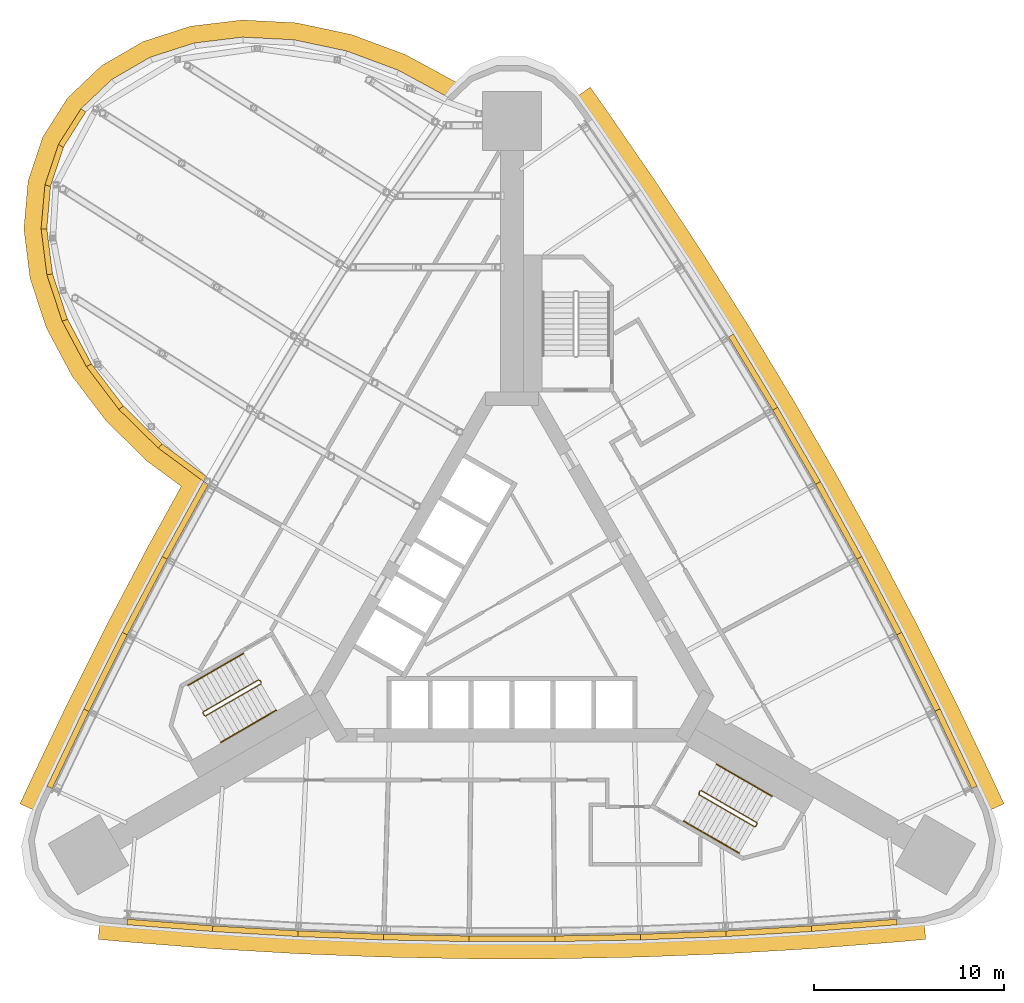
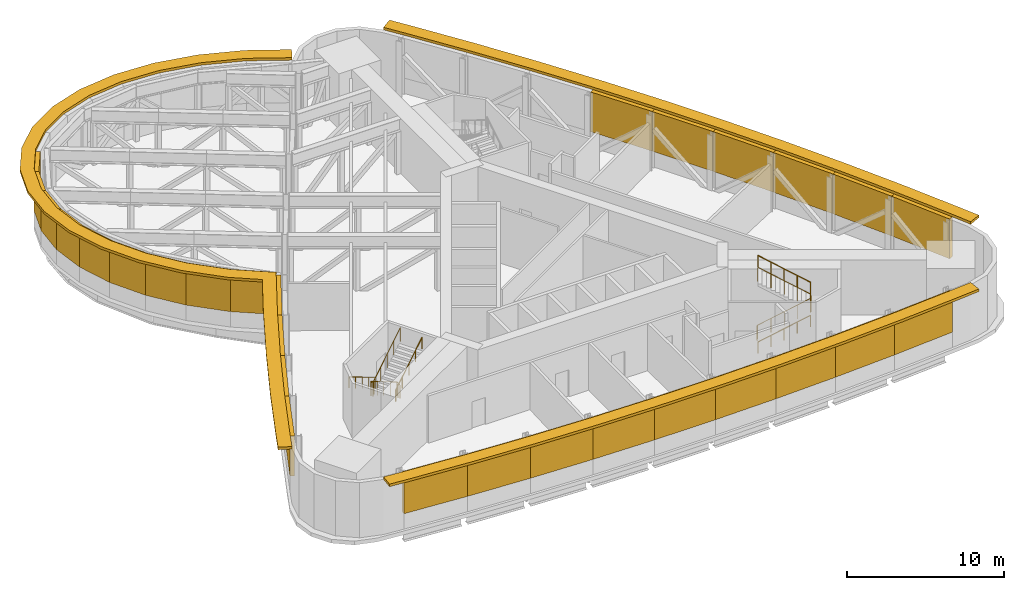
# One storey, part 10 of 11: 31 shading devices, 6 railings.
"""IFC4 building model written with IfcOpenShell, lengths in metres."""

from ifc_helpers import new_model, si_unit, direction, frame, origin, origin_2d, place, context, subcontext, project, spatial, polyline, circle, outline, extrude, material, type_object, element, save


model = new_model("IFC4")

# Units and contexts
model_context = context("Model", 3, precision=1e-05, world=origin(), true_north=direction((0.0, 1.0)))
body_context = subcontext(model_context, "Body", "Model", "MODEL_VIEW")
ifc_project = project(units=[si_unit("LENGTHUNIT", "METRE"), si_unit("AREAUNIT", "SQUARE_METRE"), si_unit("VOLUMEUNIT", "CUBIC_METRE"), si_unit("PLANEANGLEUNIT", "RADIAN"), si_unit("MASSUNIT", "GRAM", prefix="KILO")], contexts=[model_context])

# Site, building, storey
site_placement = place(None, origin())
site = spatial("IfcSite", under=ifc_project, at=site_placement, CompositionType="ELEMENT")
building_placement = place(site_placement, origin())
building = spatial("IfcBuilding", under=site, at=building_placement, Name="Noor Cloister Tower", CompositionType="ELEMENT")
storey_placement = place(building_placement, frame((0.0, 0.0, 87.0)))
storey = spatial("IfcBuildingStorey", under=building, at=storey_placement, Name="L22", CompositionType="ELEMENT", Elevation=87.0)

# Shading devices
ifc_material_1 = material(Name="Aluminium 6063-T6 anodised", Category="aluminium")
shading_device_type_1 = type_object("IfcShadingDeviceType", Name="LOUVRE plant air 40 percent free", PredefinedType="USERDEFINED", material=ifc_material_1)
shading_device_1_placement = place(storey_placement, frame((0.0, 0.0, 1.199951171875)))
element("IfcShadingDevice", 1, at=shading_device_1_placement, inside=storey, type_object=shading_device_type_1, Name="LOUVRE L22 1.9", ObjectType="LOUVRE", PredefinedType="USERDEFINED", context=body_context, shape_type="SweptSolid", body=[
    extrude(outline(polyline([(-22.646240234375, 26.332763671875), (-23.830078125, 24.469482421875), (-23.576904296875, 24.30859375), (-22.392822265625, 26.171875), (-22.646240234375, 26.332763671875)])), origin(), (0.0, 0.0, 1.0), 3.10009765625),
])
shading_device_2_placement = place(storey_placement, frame((0.0, 0.0, 1.199951171875)))
element("IfcShadingDevice", 2, at=shading_device_2_placement, inside=storey, type_object=shading_device_type_1, Name="LOUVRE L22 1.10", ObjectType="LOUVRE", PredefinedType="USERDEFINED", context=body_context, shape_type="SweptSolid", body=[
    extrude(outline(polyline([(-23.830078125, 24.469482421875), (-24.5361328125, 22.34716796875), (-24.25146484375, 22.25244140625), (-23.54541015625, 24.375), (-23.830078125, 24.469482421875)])), origin(), (0.0, 0.0, 1.0), 3.10009765625),
])
shading_device_3_placement = place(storey_placement, frame((0.0, 0.0, 1.199951171875)))
element("IfcShadingDevice", 3, at=shading_device_3_placement, inside=storey, type_object=shading_device_type_1, Name="LOUVRE L22 1.11", ObjectType="LOUVRE", PredefinedType="USERDEFINED", context=body_context, shape_type="SweptSolid", body=[
    extrude(outline(polyline([(-24.5361328125, 22.34716796875), (-24.739990234375, 20.03759765625), (-24.441162109375, 20.01123046875), (-24.2373046875, 22.32080078125), (-24.5361328125, 22.34716796875)])), origin(), (0.0, 0.0, 1.0), 3.10009765625),
])
shading_device_4_placement = place(storey_placement, frame((0.0, 0.0, 1.199951171875)))
element("IfcShadingDevice", 4, at=shading_device_4_placement, inside=storey, type_object=shading_device_type_1, Name="LOUVRE L22 1.12", ObjectType="LOUVRE", PredefinedType="USERDEFINED", context=body_context, shape_type="SweptSolid", body=[
    extrude(outline(polyline([(-24.739990234375, 20.03759765625), (-24.434814453125, 17.619873046875), (-24.13720703125, 17.657470703125), (-24.4423828125, 20.0751953125), (-24.739990234375, 20.03759765625)])), origin(), (0.0, 0.0, 1.0), 3.10009765625),
])
shading_device_5_placement = place(storey_placement, frame((0.0, 0.0, 1.199951171875)))
element("IfcShadingDevice", 5, at=shading_device_5_placement, inside=storey, type_object=shading_device_type_1, Name="LOUVRE L22 1.13", ObjectType="LOUVRE", PredefinedType="USERDEFINED", context=body_context, shape_type="SweptSolid", body=[
    extrude(outline(polyline([(-24.434814453125, 17.619873046875), (-23.631103515625, 15.17626953125), (-23.345947265625, 15.27001953125), (-24.14990234375, 17.713623046875), (-24.434814453125, 17.619873046875)])), origin(), (0.0, 0.0, 1.0), 3.10009765625),
])
shading_device_6_placement = place(storey_placement, frame((0.0, 0.0, 1.199951171875)))
element("IfcShadingDevice", 6, at=shading_device_6_placement, inside=storey, type_object=shading_device_type_1, Name="LOUVRE L22 1.14", ObjectType="LOUVRE", PredefinedType="USERDEFINED", context=body_context, shape_type="SweptSolid", body=[
    extrude(outline(polyline([(-23.631103515625, 15.17626953125), (-22.35595703125, 12.78955078125), (-22.09130859375, 12.930908203125), (-23.366455078125, 15.317626953125), (-23.631103515625, 15.17626953125)])), origin(), (0.0, 0.0, 1.0), 3.10009765625),
])
shading_device_7_placement = place(storey_placement, frame((0.0, 0.0, 1.199951171875)))
element("IfcShadingDevice", 7, at=shading_device_7_placement, inside=storey, type_object=shading_device_type_1, Name="LOUVRE L22 1.15", ObjectType="LOUVRE", PredefinedType="USERDEFINED", context=body_context, shape_type="SweptSolid", body=[
    extrude(outline(polyline([(-22.35595703125, 12.78955078125), (-20.65283203125, 10.54150390625), (-20.413818359375, 10.72265625), (-22.11669921875, 12.970703125), (-22.35595703125, 12.78955078125)])), origin(), (0.0, 0.0, 1.0), 3.10009765625),
])
shading_device_8_placement = place(storey_placement, frame((0.0, 0.0, 1.199951171875)))
element("IfcShadingDevice", 8, at=shading_device_8_placement, inside=storey, type_object=shading_device_type_1, Name="LOUVRE L22 1.16", ObjectType="LOUVRE", PredefinedType="USERDEFINED", context=body_context, shape_type="SweptSolid", body=[
    extrude(outline(polyline([(-20.65283203125, 10.54150390625), (-18.580078125, 8.508544921875), (-18.3701171875, 8.72265625), (-20.44287109375, 10.755615234375), (-20.65283203125, 10.54150390625)])), origin(), (0.0, 0.0, 1.0), 3.10009765625),
])
shading_device_9_placement = place(storey_placement, frame((0.0, 0.0, 1.199951171875)))
element("IfcShadingDevice", 9, at=shading_device_9_placement, inside=storey, type_object=shading_device_type_1, Name="LOUVRE L22 1.17", ObjectType="LOUVRE", PredefinedType="USERDEFINED", context=body_context, shape_type="SweptSolid", body=[
    extrude(outline(polyline([(-18.580078125, 8.508544921875), (-16.2080078125, 6.759765625), (-16.030029296875, 7.001220703125), (-18.402099609375, 8.75), (-18.580078125, 8.508544921875)])), origin(), (0.0, 0.0, 1.0), 3.10009765625),
])
shading_device_10_placement = place(storey_placement, frame((0.0, 0.0, 1.199951171875)))
element("IfcShadingDevice", 10, at=shading_device_10_placement, inside=storey, type_object=shading_device_type_1, Name="LOUVRE L22 2.1", ObjectType="LOUVRE", PredefinedType="USERDEFINED", context=body_context, shape_type="SweptSolid", body=[
    extrude(outline(polyline([(-16.2080078125, 6.759765625), (-18.380859375, 2.819091796875), (-18.1181640625, 2.67431640625), (-15.9453125, 6.61474609375), (-16.2080078125, 6.759765625)])), origin(), (0.0, 0.0, 1.0), 3.10009765625),
])
shading_device_11_placement = place(storey_placement, frame((0.0, 0.0, 1.199951171875)))
element("IfcShadingDevice", 11, at=shading_device_11_placement, inside=storey, type_object=shading_device_type_1, Name="LOUVRE L22 2.2", ObjectType="LOUVRE", PredefinedType="USERDEFINED", context=body_context, shape_type="SweptSolid", body=[
    extrude(outline(polyline([(-18.380859375, 2.819091796875), (-20.475830078125, -1.16357421875), (-20.210205078125, -1.30322265625), (-18.115478515625, 2.679443359375), (-18.380859375, 2.819091796875)])), origin(), (0.0, 0.0, 1.0), 3.10009765625),
])
shading_device_12_placement = place(storey_placement, frame((0.0, 0.0, 1.199951171875)))
element("IfcShadingDevice", 12, at=shading_device_12_placement, inside=storey, type_object=shading_device_type_1, Name="LOUVRE L22 2.3", ObjectType="LOUVRE", PredefinedType="USERDEFINED", context=body_context, shape_type="SweptSolid", body=[
    extrude(outline(polyline([(-20.475830078125, -1.16357421875), (-22.49169921875, -5.1865234375), (-22.2236328125, -5.321044921875), (-20.20751953125, -1.2978515625), (-20.475830078125, -1.16357421875)])), origin(), (0.0, 0.0, 1.0), 3.10009765625),
])
shading_device_13_placement = place(storey_placement, frame((0.0, 0.0, 1.199951171875)))
element("IfcShadingDevice", 13, at=shading_device_13_placement, inside=storey, type_object=shading_device_type_1, Name="LOUVRE L22 2.4", ObjectType="LOUVRE", PredefinedType="USERDEFINED", context=body_context, shape_type="SweptSolid", body=[
    extrude(outline(polyline([(-22.49169921875, -5.1865234375), (-24.42822265625, -9.24853515625), (-24.157470703125, -9.377685546875), (-22.220947265625, -5.315673828125), (-22.49169921875, -5.1865234375)])), origin(), (0.0, 0.0, 1.0), 3.10009765625),
])
shading_device_14_placement = place(storey_placement, frame((0.0, 0.0, 1.199951171875)))
element("IfcShadingDevice", 14, at=shading_device_14_placement, inside=storey, type_object=shading_device_type_1, Name="LOUVRE L22 3.1", ObjectType="LOUVRE", PredefinedType="USERDEFINED", context=body_context, shape_type="SweptSolid", body=[
    extrude(outline(polyline([(-20.2236328125, -16.53125), (-15.737548828125, -16.88525390625), (-15.7138671875, -16.586181640625), (-20.199951171875, -16.232177734375), (-20.2236328125, -16.53125)])), origin(), (0.0, 0.0, 1.0), 3.10009765625),
])
shading_device_15_placement = place(storey_placement, frame((0.0, 0.0, 1.199951171875)))
element("IfcShadingDevice", 15, at=shading_device_15_placement, inside=storey, type_object=shading_device_type_1, Name="LOUVRE L22 3.2", ObjectType="LOUVRE", PredefinedType="USERDEFINED", context=body_context, shape_type="SweptSolid", body=[
    extrude(outline(polyline([(-15.737548828125, -16.88525390625), (-11.245361328125, -17.150634765625), (-11.227783203125, -16.851318359375), (-15.7197265625, -16.585693359375), (-15.737548828125, -16.88525390625)])), origin(), (0.0, 0.0, 1.0), 3.10009765625),
])
shading_device_16_placement = place(storey_placement, frame((0.0, 0.0, 1.199951171875)))
element("IfcShadingDevice", 16, at=shading_device_16_placement, inside=storey, type_object=shading_device_type_1, Name="LOUVRE L22 3.3", ObjectType="LOUVRE", PredefinedType="USERDEFINED", context=body_context, shape_type="SweptSolid", body=[
    extrude(outline(polyline([(-11.245361328125, -17.150634765625), (-6.7490234375, -17.327880859375), (-6.7373046875, -17.028076171875), (-11.233642578125, -16.85107421875), (-11.245361328125, -17.150634765625)])), origin(), (0.0, 0.0, 1.0), 3.10009765625),
])
shading_device_17_placement = place(storey_placement, frame((0.0, 0.0, 1.199951171875)))
element("IfcShadingDevice", 17, at=shading_device_17_placement, inside=storey, type_object=shading_device_type_1, Name="LOUVRE L22 3.4", ObjectType="LOUVRE", PredefinedType="USERDEFINED", context=body_context, shape_type="SweptSolid", body=[
    extrude(outline(polyline([(-6.7490234375, -17.327880859375), (-2.25, -17.41650390625), (-2.244140625, -17.116455078125), (-6.7431640625, -17.02783203125), (-6.7490234375, -17.327880859375)])), origin(), (0.0, 0.0, 1.0), 3.10009765625),
])
shading_device_18_placement = place(storey_placement, frame((0.0, 0.0, 1.199951171875)))
element("IfcShadingDevice", 18, at=shading_device_18_placement, inside=storey, type_object=shading_device_type_1, Name="LOUVRE L22 3.5", ObjectType="LOUVRE", PredefinedType="USERDEFINED", context=body_context, shape_type="SweptSolid", body=[
    extrude(outline(polyline([(-2.25, -17.41650390625), (2.25, -17.41650390625), (2.25, -17.116455078125), (-2.25, -17.116455078125), (-2.25, -17.41650390625)])), origin(), (0.0, 0.0, 1.0), 3.10009765625),
])
shading_device_19_placement = place(storey_placement, frame((0.0, 0.0, 1.199951171875)))
element("IfcShadingDevice", 19, at=shading_device_19_placement, inside=storey, type_object=shading_device_type_1, Name="LOUVRE L22 3.6", ObjectType="LOUVRE", PredefinedType="USERDEFINED", context=body_context, shape_type="SweptSolid", body=[
    extrude(outline(polyline([(2.25, -17.41650390625), (6.7490234375, -17.327880859375), (6.7431640625, -17.02783203125), (2.244140625, -17.116455078125), (2.25, -17.41650390625)])), origin(), (0.0, 0.0, 1.0), 3.10009765625),
])
shading_device_20_placement = place(storey_placement, frame((0.0, 0.0, 1.199951171875)))
element("IfcShadingDevice", 20, at=shading_device_20_placement, inside=storey, type_object=shading_device_type_1, Name="LOUVRE L22 3.7", ObjectType="LOUVRE", PredefinedType="USERDEFINED", context=body_context, shape_type="SweptSolid", body=[
    extrude(outline(polyline([(6.7490234375, -17.327880859375), (11.245361328125, -17.150634765625), (11.233642578125, -16.85107421875), (6.7373046875, -17.028076171875), (6.7490234375, -17.327880859375)])), origin(), (0.0, 0.0, 1.0), 3.10009765625),
])
shading_device_21_placement = place(storey_placement, frame((0.0, 0.0, 1.199951171875)))
element("IfcShadingDevice", 21, at=shading_device_21_placement, inside=storey, type_object=shading_device_type_1, Name="LOUVRE L22 3.8", ObjectType="LOUVRE", PredefinedType="USERDEFINED", context=body_context, shape_type="SweptSolid", body=[
    extrude(outline(polyline([(11.245361328125, -17.150634765625), (15.737548828125, -16.88525390625), (15.7197265625, -16.585693359375), (11.227783203125, -16.851318359375), (11.245361328125, -17.150634765625)])), origin(), (0.0, 0.0, 1.0), 3.10009765625),
])
shading_device_22_placement = place(storey_placement, frame((0.0, 0.0, 1.199951171875)))
element("IfcShadingDevice", 22, at=shading_device_22_placement, inside=storey, type_object=shading_device_type_1, Name="LOUVRE L22 3.9", ObjectType="LOUVRE", PredefinedType="USERDEFINED", context=body_context, shape_type="SweptSolid", body=[
    extrude(outline(polyline([(15.737548828125, -16.88525390625), (20.2236328125, -16.53125), (20.199951171875, -16.232177734375), (15.7138671875, -16.586181640625), (15.737548828125, -16.88525390625)])), origin(), (0.0, 0.0, 1.0), 3.10009765625),
])
shading_device_23_placement = place(storey_placement, frame((0.0, 0.0, 1.199951171875)))
element("IfcShadingDevice", 23, at=shading_device_23_placement, inside=storey, type_object=shading_device_type_1, Name="LOUVRE L22 4.1", ObjectType="LOUVRE", PredefinedType="USERDEFINED", context=body_context, shape_type="SweptSolid", body=[
    extrude(outline(polyline([(24.42822265625, -9.24853515625), (22.49169921875, -5.1865234375), (22.220947265625, -5.315673828125), (24.157470703125, -9.377685546875), (24.42822265625, -9.24853515625)])), origin(), (0.0, 0.0, 1.0), 3.10009765625),
])
shading_device_24_placement = place(storey_placement, frame((0.0, 0.0, 1.199951171875)))
element("IfcShadingDevice", 24, at=shading_device_24_placement, inside=storey, type_object=shading_device_type_1, Name="LOUVRE L22 4.2", ObjectType="LOUVRE", PredefinedType="USERDEFINED", context=body_context, shape_type="SweptSolid", body=[
    extrude(outline(polyline([(22.49169921875, -5.1865234375), (20.475830078125, -1.16357421875), (20.20751953125, -1.2978515625), (22.2236328125, -5.321044921875), (22.49169921875, -5.1865234375)])), origin(), (0.0, 0.0, 1.0), 3.10009765625),
])
shading_device_25_placement = place(storey_placement, frame((0.0, 0.0, 1.199951171875)))
element("IfcShadingDevice", 25, at=shading_device_25_placement, inside=storey, type_object=shading_device_type_1, Name="LOUVRE L22 4.3", ObjectType="LOUVRE", PredefinedType="USERDEFINED", context=body_context, shape_type="SweptSolid", body=[
    extrude(outline(polyline([(20.475830078125, -1.16357421875), (18.380859375, 2.819091796875), (18.115478515625, 2.679443359375), (20.210205078125, -1.30322265625), (20.475830078125, -1.16357421875)])), origin(), (0.0, 0.0, 1.0), 3.10009765625),
])
shading_device_26_placement = place(storey_placement, frame((0.0, 0.0, 1.199951171875)))
element("IfcShadingDevice", 26, at=shading_device_26_placement, inside=storey, type_object=shading_device_type_1, Name="LOUVRE L22 4.4", ObjectType="LOUVRE", PredefinedType="USERDEFINED", context=body_context, shape_type="SweptSolid", body=[
    extrude(outline(polyline([(18.380859375, 2.819091796875), (16.2080078125, 6.759765625), (15.9453125, 6.61474609375), (18.1181640625, 2.67431640625), (18.380859375, 2.819091796875)])), origin(), (0.0, 0.0, 1.0), 3.10009765625),
])
shading_device_27_placement = place(storey_placement, frame((0.0, 0.0, 1.199951171875)))
element("IfcShadingDevice", 27, at=shading_device_27_placement, inside=storey, type_object=shading_device_type_1, Name="LOUVRE L22 4.5", ObjectType="LOUVRE", PredefinedType="USERDEFINED", context=body_context, shape_type="SweptSolid", body=[
    extrude(outline(polyline([(16.2080078125, 6.759765625), (13.9580078125, 10.65673828125), (13.6982421875, 10.5068359375), (15.9482421875, 6.609619140625), (16.2080078125, 6.759765625)])), origin(), (0.0, 0.0, 1.0), 3.10009765625),
])
shading_device_28_placement = place(storey_placement, frame((0.0, 0.0, 1.199951171875)))
element("IfcShadingDevice", 28, at=shading_device_28_placement, inside=storey, type_object=shading_device_type_1, Name="LOUVRE L22 4.6", ObjectType="LOUVRE", PredefinedType="USERDEFINED", context=body_context, shape_type="SweptSolid", body=[
    extrude(outline(polyline([(13.9580078125, 10.65673828125), (11.6318359375, 14.5087890625), (11.375, 14.353759765625), (13.701171875, 10.501708984375), (13.9580078125, 10.65673828125)])), origin(), (0.0, 0.0, 1.0), 3.10009765625),
])
ifc_material_2 = material(Name="Limestone", Category="masonry")
shading_device_type_2 = type_object("IfcShadingDeviceType", Name="SUNSHADE limestone band 900", PredefinedType="USERDEFINED", material=ifc_material_2)
shading_device_29_placement = place(storey_placement, frame((0.0, 0.0, 4.300048828125)))
element("IfcShadingDevice", 29, at=shading_device_29_placement, inside=storey, type_object=shading_device_type_2, Name="SUNSHADE L22 1", ObjectType="SUNSHADE", PredefinedType="USERDEFINED", context=body_context, shape_type="SweptSolid", body=[
    extrude(outline(polyline([(-2.946533203125, 27.743896484375), (-5.5927734375, 29.178955078125), (-8.43505859375, 30.2373046875), (-11.32763671875, 30.85302734375), (-14.1787109375, 31.001708984375), (-16.896240234375, 30.671875), (-19.38916015625, 29.864990234375), (-21.56787109375, 28.598388671875), (-23.34619140625, 26.908935546875), (-24.649169921875, 24.85888671875), (-25.42333984375, 22.53125), (-25.64501953125, 20.020751953125), (-25.31689453125, 17.421142578125), (-24.461669921875, 14.82080078125), (-23.1162109375, 12.302734375), (-21.330322265625, 9.9453125), (-19.1650390625, 7.821533203125), (-17.377197265625, 6.50341796875), (-19.17333984375, 3.245849609375), (-21.2763671875, -0.75244140625), (-23.30029296875, -4.791259765625), (-25.2431640625, -8.866455078125), (-25.846923828125, -10.17626953125), (-25.029541015625, -10.552978515625), (-24.42822265625, -9.24853515625), (-22.49169921875, -5.1865234375), (-20.475830078125, -1.16357421875), (-18.380859375, 2.819091796875), (-16.2080078125, 6.759765625), (-18.580078125, 8.508544921875), (-20.65283203125, 10.54150390625), (-22.35595703125, 12.78955078125), (-23.631103515625, 15.17626953125), (-24.434814453125, 17.619873046875), (-24.739990234375, 20.03759765625), (-24.5361328125, 22.34716796875), (-23.830078125, 24.469482421875), (-22.646240234375, 26.332763671875), (-21.0244140625, 27.873291015625), (-19.02001953125, 29.03857421875), (-16.70166015625, 29.7890625), (-14.147705078125, 30.098876953125), (-11.445556640625, 29.9580078125), (-8.68701171875, 29.370849609375), (-5.96630859375, 28.357666015625), (-3.37548828125, 26.95263671875), (-2.946533203125, 27.743896484375)])), origin(), (0.0, 0.0, 1.0), 0.199951171875),
])
shading_device_30_placement = place(storey_placement, frame((0.0, 0.0, 4.300048828125)))
element("IfcShadingDevice", 30, at=shading_device_30_placement, inside=storey, type_object=shading_device_type_2, Name="SUNSHADE L22 2", ObjectType="SUNSHADE", PredefinedType="USERDEFINED", context=body_context, shape_type="SweptSolid", body=[
    extrude(outline(polyline([(-21.736328125, -17.2958984375), (-20.300048828125, -17.427978515625), (-15.799560546875, -17.783203125), (-11.289794921875, -18.0498046875), (-6.775634765625, -18.2275390625), (-2.2587890625, -18.31640625), (2.2587890625, -18.31640625), (6.775634765625, -18.2275390625), (11.289794921875, -18.0498046875), (15.799560546875, -17.783203125), (20.300048828125, -17.427978515625), (21.736328125, -17.2958984375), (21.65380859375, -16.399658203125), (20.2236328125, -16.53125), (15.737548828125, -16.88525390625), (11.245361328125, -17.150634765625), (6.7490234375, -17.327880859375), (2.25, -17.41650390625), (-2.25, -17.41650390625), (-6.7490234375, -17.327880859375), (-11.245361328125, -17.150634765625), (-15.737548828125, -16.88525390625), (-20.2236328125, -16.53125), (-21.65380859375, -16.399658203125), (-21.736328125, -17.2958984375)])), origin(), (0.0, 0.0, 1.0), 0.199951171875),
])
shading_device_31_placement = place(storey_placement, frame((0.0, 0.0, 4.300048828125)))
element("IfcShadingDevice", 31, at=shading_device_31_placement, inside=storey, type_object=shading_device_type_2, Name="SUNSHADE L22 3", ObjectType="SUNSHADE", PredefinedType="USERDEFINED", context=body_context, shape_type="SweptSolid", body=[
    extrude(outline(polyline([(25.846923828125, -10.17626953125), (25.2431640625, -8.866455078125), (23.30029296875, -4.791259765625), (21.2763671875, -0.75244140625), (19.17333984375, 3.245849609375), (16.991943359375, 7.201904296875), (14.733154296875, 11.114501953125), (12.397705078125, 14.981689453125), (9.986572265625, 18.802001953125), (7.5009765625, 22.57421875), (4.943115234375, 26.29443359375), (4.110595703125, 27.47216796875), (3.37548828125, 26.95263671875), (4.204833984375, 25.77978515625), (6.754150390625, 22.07177734375), (9.230224609375, 18.314208984375), (11.6318359375, 14.5087890625), (13.9580078125, 10.65673828125), (16.2080078125, 6.759765625), (18.380859375, 2.819091796875), (20.475830078125, -1.16357421875), (22.49169921875, -5.1865234375), (24.42822265625, -9.24853515625), (25.029541015625, -10.552978515625), (25.846923828125, -10.17626953125)])), origin(), (0.0, 0.0, 1.0), 0.199951171875),
])

# Railings
ifc_material_3 = material(Name="Stainless steel", Category="steel")
railing_type_1 = type_object("IfcRailingType", Name="Stair guard 1100", PredefinedType="GUARDRAIL", material=ifc_material_3)
railing_1_placement = place(storey_placement, frame((-13.241455078125, -3.677734375, 0.0)))
element("IfcRailing", 32, at=railing_1_placement, inside=storey, type_object=railing_type_1, Name="Stair guard ST2 L22", PredefinedType="GUARDRAIL", context=body_context, shape_type="SweptSolid", body=[
    extrude(circle(Radius=0.02392578125, at=origin_2d()), frame((0.0, 0.0, 1.076171875), z_axis=(0.499112439033, -0.866537231285, 0.0), x_axis=(0.866537231285, 0.499112439033, 0.0)), (0.0, 0.0, 1.0), 0.150146484375),
    extrude(circle(Radius=0.02392578125, at=origin_2d()), frame((0.074951171875, -0.130126953125, 1.076171875), z_axis=(-0.532384093884, 0.550523245294, 0.643032917485), x_axis=(-0.718850276695, -0.695164929852, 0.0)), (0.0, 0.0, 1.0), 0.269287109375),
    extrude(circle(Radius=0.02392578125, at=origin_2d()), frame((-0.068359375, 0.01806640625, 1.2490234375), z_axis=(-0.736667954249, -0.425288379326, 0.525785240943), x_axis=(0.499976138585, -0.866039179741, 0.0)), (0.0, 0.0, 1.0), 3.9501953125),
    extrude(circle(Radius=0.02392578125, at=origin_2d()), frame((-2.978271484375, -1.661865234375, 3.326171875), z_axis=(-0.258736085224, -0.965948051503, 0.0), x_axis=(0.965948051503, -0.258736085224, 0.0)), (0.0, 0.0, 1.0), 0.07080078125),
    extrude(circle(Radius=0.02392578125, at=origin_2d()), frame((-2.99658203125, -1.730224609375, 3.326171875), z_axis=(0.501036270542, -0.865426285481, 0.0), x_axis=(0.865426285481, 0.501036270542, 0.0)), (0.0, 0.0, 1.0), 0.150146484375),
    extrude(circle(Radius=0.02392578125, at=origin_2d()), frame((-2.92138671875, -1.860107421875, 3.326171875), z_axis=(0.364418931161, -0.097962078269, 0.926068179905), x_axis=(0.259601060869, 0.965715946433, 0.0)), (0.0, 0.0, 1.0), 0.18701171875),
    extrude(circle(Radius=0.02392578125, at=origin_2d()), frame((-2.853271484375, -1.87841796875, 3.4990234375), z_axis=(0.736648589954, 0.42533900462, 0.52577141998), x_axis=(-0.500030632641, 0.866007717299, 0.0)), (0.0, 0.0, 1.0), 3.9501953125),
    extrude(circle(Radius=0.02099609375, at=origin_2d()), origin(), (0.0, 0.0, 1.0), 1.052001953125),
    extrude(circle(Radius=0.02099609375, at=origin_2d()), frame((0.074951171875, -0.130126953125, 0.0)), (0.0, 0.0, 1.0), 1.052001953125),
    extrude(circle(Radius=0.02099609375, at=origin_2d()), frame((-0.068359375, 0.01806640625, 0.173095703125)), (0.0, 0.0, 1.0), 1.052001953125),
    extrude(circle(Radius=0.02099609375, at=origin_2d()), frame((-0.7958984375, -0.40185546875, 0.6923828125)), (0.0, 0.0, 1.0), 1.052001953125),
    extrude(circle(Radius=0.02099609375, at=origin_2d()), frame((-1.5234375, -0.82177734375, 1.21142578125)), (0.0, 0.0, 1.0), 1.052001953125),
    extrude(circle(Radius=0.02099609375, at=origin_2d()), frame((-2.250732421875, -1.241943359375, 1.730712890625)), (0.0, 0.0, 1.0), 1.052001953125),
    extrude(circle(Radius=0.02099609375, at=origin_2d()), frame((-2.978271484375, -1.661865234375, 2.25)), (0.0, 0.0, 1.0), 1.052001953125),
    extrude(circle(Radius=0.02099609375, at=origin_2d()), frame((-2.99658203125, -1.730224609375, 2.25)), (0.0, 0.0, 1.0), 1.052001953125),
    extrude(circle(Radius=0.02099609375, at=origin_2d()), frame((-2.92138671875, -1.860107421875, 2.25)), (0.0, 0.0, 1.0), 1.052001953125),
    extrude(circle(Radius=0.02099609375, at=origin_2d()), frame((-2.853271484375, -1.87841796875, 2.423095703125)), (0.0, 0.0, 1.0), 1.052001953125),
    extrude(circle(Radius=0.02099609375, at=origin_2d()), frame((-2.125732421875, -1.45849609375, 2.9423828125)), (0.0, 0.0, 1.0), 1.052001953125),
    extrude(circle(Radius=0.02099609375, at=origin_2d()), frame((-1.3984375, -1.038330078125, 3.46142578125)), (0.0, 0.0, 1.0), 1.052001953125),
    extrude(circle(Radius=0.02099609375, at=origin_2d()), frame((-0.6708984375, -0.6181640625, 3.980712890625)), (0.0, 0.0, 1.0), 1.052001953125),
    extrude(circle(Radius=0.02099609375, at=origin_2d()), frame((0.056640625, -0.1982421875, 4.5)), (0.0, 0.0, 1.0), 1.052001953125),
])
railing_2_placement = place(storey_placement, frame((9.805908203125, -9.628662109375, 0.0)))
element("IfcRailing", 33, at=railing_2_placement, inside=storey, type_object=railing_type_1, Name="Stair guard ST3 L22", PredefinedType="GUARDRAIL", context=body_context, shape_type="SweptSolid", body=[
    extrude(circle(Radius=0.02392578125, at=origin_2d()), frame((0.0, 0.0, 1.076171875), z_axis=(0.499112439033, 0.866537231285, 0.0), x_axis=(-0.866537231285, 0.499112439033, 0.0)), (0.0, 0.0, 1.0), 0.150146484375),
    extrude(circle(Radius=0.02392578125, at=origin_2d()), frame((0.074951171875, 0.130126953125, 1.076171875), z_axis=(-0.210401176497, -0.736404117741, 0.642993250589), x_axis=(0.961523947641, -0.274721127897, 0.0)), (0.0, 0.0, 1.0), 0.269287109375),
    extrude(circle(Radius=0.02392578125, at=origin_2d()), frame((0.018310546875, -0.068115234375, 1.2490234375), z_axis=(0.736648589954, -0.42533900462, 0.52577141998), x_axis=(0.500030632641, 0.866007717299, 0.0)), (0.0, 0.0, 1.0), 3.9501953125),
    extrude(circle(Radius=0.02392578125, at=origin_2d()), frame((2.92822265625, -1.748291015625, 3.326171875), z_axis=(0.965715946433, 0.259601060869, 0.0), x_axis=(-0.259601060869, 0.965715946433, 0.0)), (0.0, 0.0, 1.0), 0.070556640625),
    extrude(circle(Radius=0.02392578125, at=origin_2d()), frame((2.996337890625, -1.72998046875, 3.326171875), z_axis=(0.499816412211, 0.866131372301, 0.0), x_axis=(-0.866131372301, 0.499816412211, 0.0)), (0.0, 0.0, 1.0), 0.14990234375),
    extrude(circle(Radius=0.02392578125, at=origin_2d()), frame((3.0712890625, -1.60009765625, 3.326171875), z_axis=(-0.096622130353, 0.365597249983, 0.925744465136), x_axis=(-0.966805641264, -0.255512919477, 0.0)), (0.0, 0.0, 1.0), 0.18701171875),
    extrude(circle(Radius=0.02392578125, at=origin_2d()), frame((3.05322265625, -1.53173828125, 3.4990234375), z_axis=(-0.736667954249, 0.425288379326, 0.525785240943), x_axis=(-0.499976138585, -0.866039179741, 0.0)), (0.0, 0.0, 1.0), 3.9501953125),
    extrude(circle(Radius=0.02099609375, at=origin_2d()), origin(), (0.0, 0.0, 1.0), 1.052001953125),
    extrude(circle(Radius=0.02099609375, at=origin_2d()), frame((0.074951171875, 0.130126953125, 0.0)), (0.0, 0.0, 1.0), 1.052001953125),
    extrude(circle(Radius=0.02099609375, at=origin_2d()), frame((0.018310546875, -0.068115234375, 0.173095703125)), (0.0, 0.0, 1.0), 1.052001953125),
    extrude(circle(Radius=0.02099609375, at=origin_2d()), frame((0.745849609375, -0.48828125, 0.6923828125)), (0.0, 0.0, 1.0), 1.052001953125),
    extrude(circle(Radius=0.02099609375, at=origin_2d()), frame((1.47314453125, -0.908203125, 1.21142578125)), (0.0, 0.0, 1.0), 1.052001953125),
    extrude(circle(Radius=0.02099609375, at=origin_2d()), frame((2.20068359375, -1.328125, 1.730712890625)), (0.0, 0.0, 1.0), 1.052001953125),
    extrude(circle(Radius=0.02099609375, at=origin_2d()), frame((2.92822265625, -1.748291015625, 2.25)), (0.0, 0.0, 1.0), 1.052001953125),
    extrude(circle(Radius=0.02099609375, at=origin_2d()), frame((2.996337890625, -1.72998046875, 2.25)), (0.0, 0.0, 1.0), 1.052001953125),
    extrude(circle(Radius=0.02099609375, at=origin_2d()), frame((3.0712890625, -1.60009765625, 2.25)), (0.0, 0.0, 1.0), 1.052001953125),
    extrude(circle(Radius=0.02099609375, at=origin_2d()), frame((3.05322265625, -1.53173828125, 2.423095703125)), (0.0, 0.0, 1.0), 1.052001953125),
    extrude(circle(Radius=0.02099609375, at=origin_2d()), frame((2.32568359375, -1.11181640625, 2.9423828125)), (0.0, 0.0, 1.0), 1.052001953125),
    extrude(circle(Radius=0.02099609375, at=origin_2d()), frame((1.59814453125, -0.69189453125, 3.46142578125)), (0.0, 0.0, 1.0), 1.052001953125),
    extrude(circle(Radius=0.02099609375, at=origin_2d()), frame((0.870849609375, -0.271728515625, 3.980712890625)), (0.0, 0.0, 1.0), 1.052001953125),
    extrude(circle(Radius=0.02099609375, at=origin_2d()), frame((0.143310546875, 0.148193359375, 4.5)), (0.0, 0.0, 1.0), 1.052001953125),
])
ifc_material_4 = material(Name="Stainless steel", Category="steel")
railing_type_2 = type_object("IfcRailingType", Name="Stair handrail 900", PredefinedType="HANDRAIL", material=ifc_material_4)
railing_3_placement = place(storey_placement, frame((-14.10986328125, -2.27392578125, 0.173095703125)))
element("IfcRailing", 34, at=railing_3_placement, inside=storey, type_object=railing_type_2, Name="Stair handrail ST2 L22 1", PredefinedType="HANDRAIL", context=body_context, shape_type="SweptSolid", body=[
    extrude(circle(Radius=0.02392578125, at=origin_2d()), frame((0.0, 0.0, 0.8759765625), z_axis=(-0.736639687092, -0.425307743487, 0.525809180911), x_axis=(0.500007602105, -0.866021014662, 0.0)), (0.0, 0.0, 1.0), 3.949951171875),
    extrude(circle(Radius=0.02099609375, at=origin_2d()), origin(), (0.0, 0.0, 1.0), 0.851806640625),
    extrude(circle(Radius=0.02099609375, at=origin_2d()), frame((-0.7275390625, -0.419921875, 0.519287109375)), (0.0, 0.0, 1.0), 0.851806640625),
    extrude(circle(Radius=0.02099609375, at=origin_2d()), frame((-1.454833984375, -0.83984375, 1.03857421875)), (0.0, 0.0, 1.0), 0.851806640625),
    extrude(circle(Radius=0.02099609375, at=origin_2d()), frame((-2.18212890625, -1.260009765625, 1.5576171875)), (0.0, 0.0, 1.0), 0.851806640625),
    extrude(circle(Radius=0.02099609375, at=origin_2d()), frame((-2.90966796875, -1.679931640625, 2.076904296875)), (0.0, 0.0, 1.0), 0.851806640625),
])
railing_4_placement = place(storey_placement, frame((-15.294677734375, -6.941650390625, 2.423095703125)))
element("IfcRailing", 35, at=railing_4_placement, inside=storey, type_object=railing_type_2, Name="Stair handrail ST2 L22 2", PredefinedType="HANDRAIL", context=body_context, shape_type="SweptSolid", body=[
    extrude(circle(Radius=0.02392578125, at=origin_2d()), frame((0.0, 0.0, 0.8759765625), z_axis=(0.736667954249, 0.425288379326, 0.525785240943), x_axis=(-0.499976138585, 0.866039179741, 0.0)), (0.0, 0.0, 1.0), 3.9501953125),
    extrude(circle(Radius=0.02099609375, at=origin_2d()), origin(), (0.0, 0.0, 1.0), 0.851806640625),
    extrude(circle(Radius=0.02099609375, at=origin_2d()), frame((0.7275390625, 0.419921875, 0.519287109375)), (0.0, 0.0, 1.0), 0.851806640625),
    extrude(circle(Radius=0.02099609375, at=origin_2d()), frame((1.455078125, 0.83984375, 1.03857421875)), (0.0, 0.0, 1.0), 0.851806640625),
    extrude(circle(Radius=0.02099609375, at=origin_2d()), frame((2.182373046875, 1.260009765625, 1.5576171875)), (0.0, 0.0, 1.0), 0.851806640625),
    extrude(circle(Radius=0.02099609375, at=origin_2d()), frame((2.909912109375, 1.679931640625, 2.076904296875)), (0.0, 0.0, 1.0), 0.851806640625),
])
railing_5_placement = place(storey_placement, frame((9.024169921875, -11.08251953125, 0.173095703125)))
element("IfcRailing", 36, at=railing_5_placement, inside=storey, type_object=railing_type_2, Name="Stair handrail ST3 L22 1", PredefinedType="HANDRAIL", context=body_context, shape_type="SweptSolid", body=[
    extrude(circle(Radius=0.02392578125, at=origin_2d()), frame((0.0, 0.0, 0.8759765625), z_axis=(0.736667954249, -0.425288379326, 0.525785240943), x_axis=(0.499976138585, 0.866039179741, 0.0)), (0.0, 0.0, 1.0), 3.9501953125),
    extrude(circle(Radius=0.02099609375, at=origin_2d()), origin(), (0.0, 0.0, 1.0), 0.851806640625),
    extrude(circle(Radius=0.02099609375, at=origin_2d()), frame((0.7275390625, -0.419921875, 0.519287109375)), (0.0, 0.0, 1.0), 0.851806640625),
    extrude(circle(Radius=0.02099609375, at=origin_2d()), frame((1.455078125, -0.83984375, 1.03857421875)), (0.0, 0.0, 1.0), 0.851806640625),
    extrude(circle(Radius=0.02099609375, at=origin_2d()), frame((2.182373046875, -1.260009765625, 1.5576171875)), (0.0, 0.0, 1.0), 0.851806640625),
    extrude(circle(Radius=0.02099609375, at=origin_2d()), frame((2.909912109375, -1.679931640625, 2.076904296875)), (0.0, 0.0, 1.0), 0.851806640625),
])
railing_6_placement = place(storey_placement, frame((13.658935546875, -9.774658203125, 2.423095703125)))
element("IfcRailing", 37, at=railing_6_placement, inside=storey, type_object=railing_type_2, Name="Stair handrail ST3 L22 2", PredefinedType="HANDRAIL", context=body_context, shape_type="SweptSolid", body=[
    extrude(circle(Radius=0.02392578125, at=origin_2d()), frame((0.0, 0.0, 0.8759765625), z_axis=(-0.736639687092, 0.425307743487, 0.525809180911), x_axis=(-0.500007602105, -0.866021014662, 0.0)), (0.0, 0.0, 1.0), 3.949951171875),
    extrude(circle(Radius=0.02099609375, at=origin_2d()), origin(), (0.0, 0.0, 1.0), 0.851806640625),
    extrude(circle(Radius=0.02099609375, at=origin_2d()), frame((-0.7275390625, 0.419921875, 0.519287109375)), (0.0, 0.0, 1.0), 0.851806640625),
    extrude(circle(Radius=0.02099609375, at=origin_2d()), frame((-1.454833984375, 0.83984375, 1.03857421875)), (0.0, 0.0, 1.0), 0.851806640625),
    extrude(circle(Radius=0.02099609375, at=origin_2d()), frame((-2.18212890625, 1.260009765625, 1.5576171875)), (0.0, 0.0, 1.0), 0.851806640625),
    extrude(circle(Radius=0.02099609375, at=origin_2d()), frame((-2.90966796875, 1.679931640625, 2.076904296875)), (0.0, 0.0, 1.0), 0.851806640625),
])

save(model, "model.ifc")
